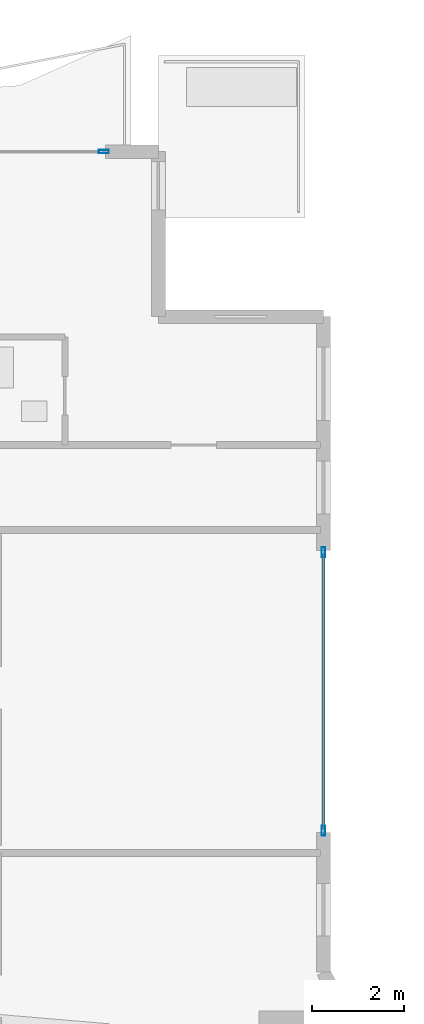
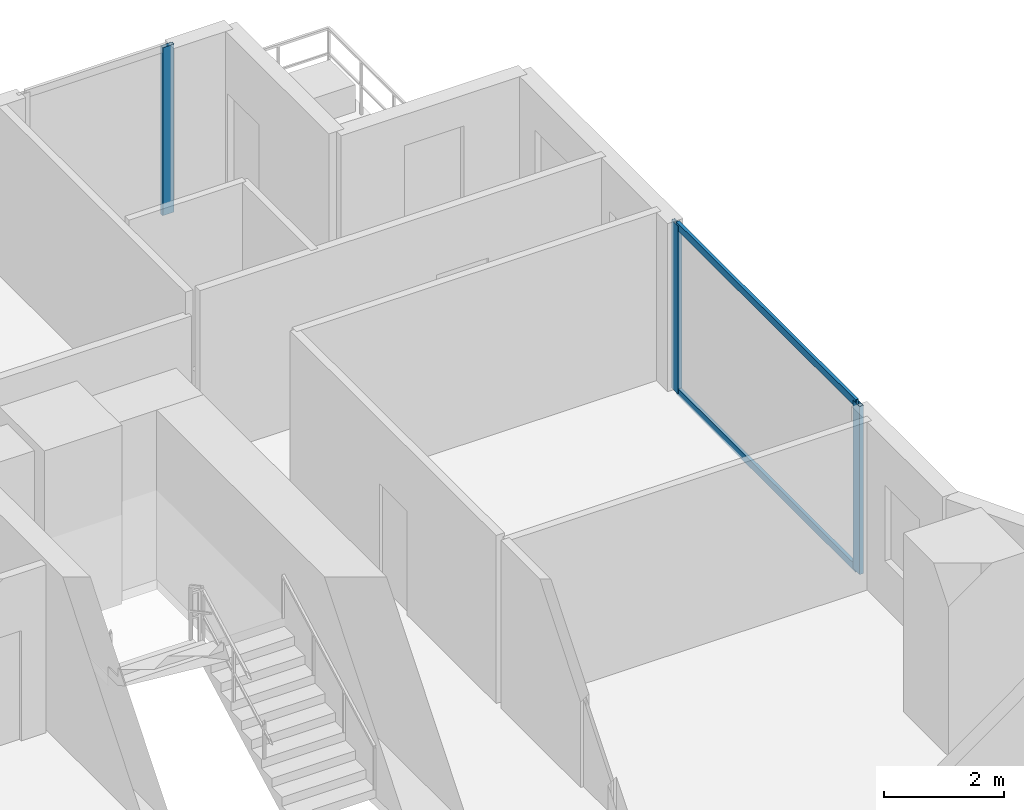
# One storey, part 17 of 28: 5 members, 2 elements without a shape of their own.
"""IFC4 building model written with IfcOpenShell, lengths in metres."""

from ifc_helpers import new_model, si_unit, direction, frame, origin, origin_2d, place, context, subcontext, project, spatial, hollow_rectangle, extrude, material, layer, layer_set, material_profile, profile_set, type_object, element, aggregate, save


model = new_model("IFC4")

# Units and contexts
model_context = context("Model", 3, precision=1e-05, world=origin(), true_north=direction((0.0, 1.0)))
body_context = subcontext(model_context, "Body", "Model", "MODEL_VIEW")
ifc_project = project(units=[si_unit("LENGTHUNIT", "METRE"), si_unit("AREAUNIT", "SQUARE_METRE"), si_unit("VOLUMEUNIT", "CUBIC_METRE"), si_unit("PLANEANGLEUNIT", "RADIAN"), si_unit("MASSUNIT", "GRAM", prefix="KILO")], contexts=[model_context])

# Site, building, storey
site_placement = place(None, origin())
site = spatial("IfcSite", under=ifc_project, at=site_placement, CompositionType="ELEMENT")
building_placement = place(site_placement, origin())
building = spatial("IfcBuilding", under=site, at=building_placement, Name="Zuhayl Quay Hotel", CompositionType="ELEMENT")
storey_placement = place(building_placement, frame((0.0, 0.0, 53.14990234375)))
storey = spatial("IfcBuildingStorey", under=building, at=storey_placement, Name="L12", CompositionType="ELEMENT", Elevation=53.14990234375)

# Curtain wall, member
ifc_material_1 = material(Name="Anodised Aluminium 6063-T6", Category="aluminium")
ifc_layer = layer(ifc_material_1, 0.18994140625, Name="Anodised Aluminium 6063-T6", Category="aluminium")
ifc_layer_set = layer_set([ifc_layer], Name="Anodised Aluminium 6063-T6")
curtain_wall_type = type_object("IfcCurtainWallType", Name="CW_SYS_Z1", PredefinedType="USERDEFINED", material=ifc_layer_set)
curtain_wall_1_placement = place(storey_placement, origin())
curtain_wall_1 = element("IfcCurtainWall", 1, at=curtain_wall_1_placement, inside=storey, type_object=curtain_wall_type, Name="L12 Curtain Wall ENV_L12_N_CW6", ObjectType="UNITISED CURTAIN WALL", PredefinedType="USERDEFINED")
ifc_material_2 = material(Name="Black-anodised aluminium 6063-T6", Category="aluminium")
ifc_material_profile_1 = material_profile(ifc_material_2, hollow_rectangle(XDim=0.074951171875, YDim=0.219970703125, WallThickness=0.00390625, at=origin_2d()), Name="ALU220X75")
ifc_profile_set_1 = profile_set([ifc_material_profile_1], Name="Black-anodised aluminium 6063-T6")
member_type_1 = type_object("IfcMemberType", Name="MB_CW_MUL_220", PredefinedType="MULLION", material=ifc_profile_set_1)
member_1_placement = place(storey_placement, frame((20.91259765625, 23.10009765625, 0.0), z_axis=(0.0, 0.0, 1.0), x_axis=(0.0, 1.0, 0.0)))
member_1 = element("IfcMember", 2, at=member_1_placement, type_object=member_type_1, Name="CW-Z1 mullion 2", PredefinedType="MULLION", context=body_context, shape_type="SweptSolid", body=[
    extrude(hollow_rectangle(XDim=0.074951171875, YDim=0.219970703125, WallThickness=0.00390625, at=origin_2d()), origin(), (0.0, 0.0, 1.0), 3.43017578125),
])
aggregate(curtain_wall_1, [member_1])

# Curtain wall, members
curtain_wall_2_placement = place(storey_placement, origin())
curtain_wall_2 = element("IfcCurtainWall", 3, at=curtain_wall_2_placement, inside=storey, type_object=curtain_wall_type, Name="L12 Curtain Wall ENV_L12_E11_CW1", ObjectType="UNITISED CURTAIN WALL", PredefinedType="USERDEFINED")
member_2_placement = place(storey_placement, frame((25.699951171875, 14.362548828125, 0.0), z_axis=(0.0, 0.0, 1.0), x_axis=(1.0, 0.0, 0.0)))
member_2 = element("IfcMember", 4, at=member_2_placement, type_object=member_type_1, Name="CW-Z1 mullion 1", PredefinedType="MULLION", context=body_context, shape_type="SweptSolid", body=[
    extrude(hollow_rectangle(XDim=0.074951171875, YDim=0.219970703125, WallThickness=0.00390625, at=origin_2d()), origin(), (0.0, 0.0, 1.0), 3.43017578125),
])
member_3_placement = place(storey_placement, frame((25.699951171875, 8.28759765625, 0.0), z_axis=(0.0, 0.0, 1.0), x_axis=(1.0, 0.0, 0.0)))
member_3 = element("IfcMember", 5, at=member_3_placement, type_object=member_type_1, Name="CW-Z1 mullion 2", PredefinedType="MULLION", context=body_context, shape_type="SweptSolid", body=[
    extrude(hollow_rectangle(XDim=0.074951171875, YDim=0.219970703125, WallThickness=0.00390625, at=origin_2d()), origin(), (0.0, 0.0, 1.0), 3.43017578125),
])
ifc_material_profile_2 = material_profile(ifc_material_2, hollow_rectangle(XDim=0.06005859375, YDim=0.14990234375, WallThickness=0.00341796875, at=origin_2d()), Name="ALU150X60")
ifc_profile_set_2 = profile_set([ifc_material_profile_2], Name="Black-anodised aluminium 6063-T6")
member_type_2 = type_object("IfcMemberType", Name="MB_CW_TRN_150", PredefinedType="USERDEFINED", material=ifc_profile_set_2)
member_4_placement = place(storey_placement, frame((25.699951171875, 14.324951171875, 0.030029296875), z_axis=(0.0, -1.0, 0.0), x_axis=(1.0, 0.0, 0.0)))
member_4 = element("IfcMember", 6, at=member_4_placement, type_object=member_type_2, Name="CW-Z1 transom 1.1", ObjectType="TRANSOM", PredefinedType="USERDEFINED", context=body_context, shape_type="SweptSolid", body=[
    extrude(hollow_rectangle(XDim=0.06005859375, YDim=0.14990234375, WallThickness=0.00341796875, at=origin_2d()), origin(), (0.0, 0.0, 1.0), 6.0),
])
member_5_placement = place(storey_placement, frame((25.699951171875, 14.324951171875, 3.400146484375), z_axis=(0.0, -1.0, 0.0), x_axis=(1.0, 0.0, 0.0)))
member_5 = element("IfcMember", 7, at=member_5_placement, type_object=member_type_2, Name="CW-Z1 transom 1.2", ObjectType="TRANSOM", PredefinedType="USERDEFINED", context=body_context, shape_type="SweptSolid", body=[
    extrude(hollow_rectangle(XDim=0.06005859375, YDim=0.14990234375, WallThickness=0.00341796875, at=origin_2d()), origin(), (0.0, 0.0, 1.0), 6.0),
])
aggregate(curtain_wall_2, [member_2, member_3, member_4, member_5])

save(model, "model.ifc")
